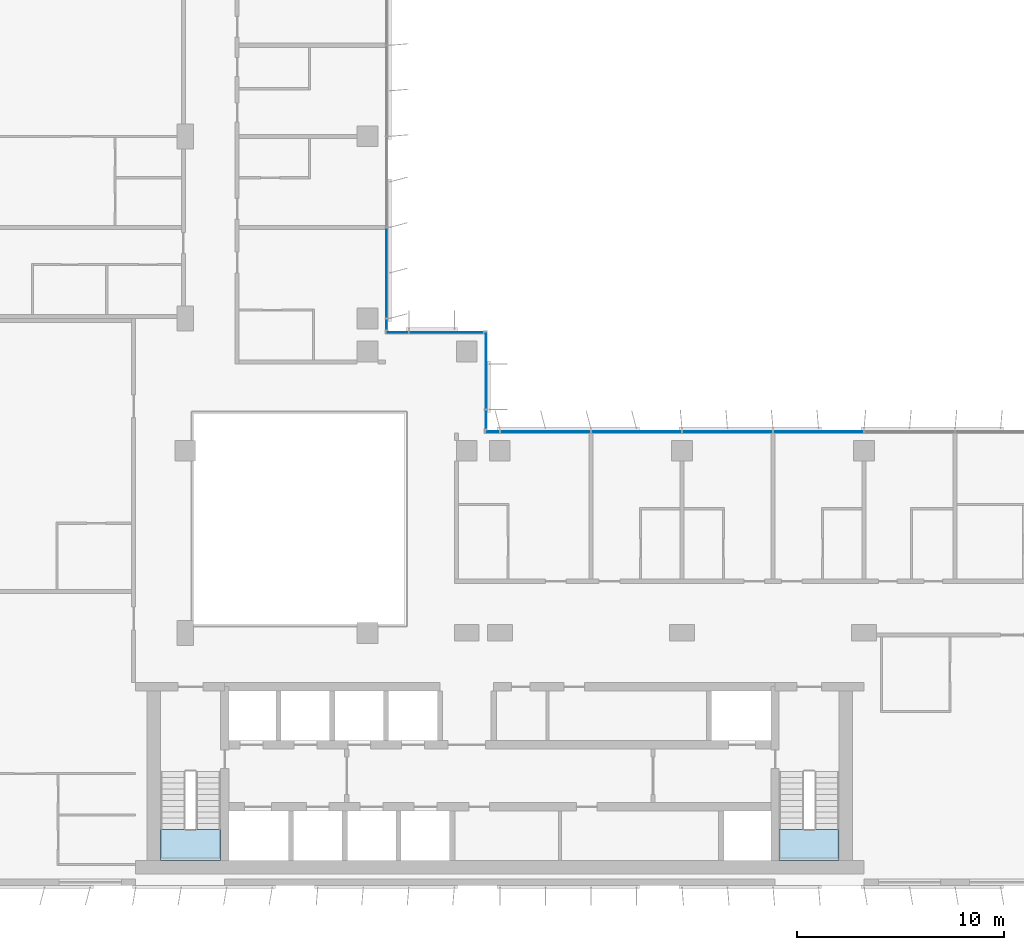
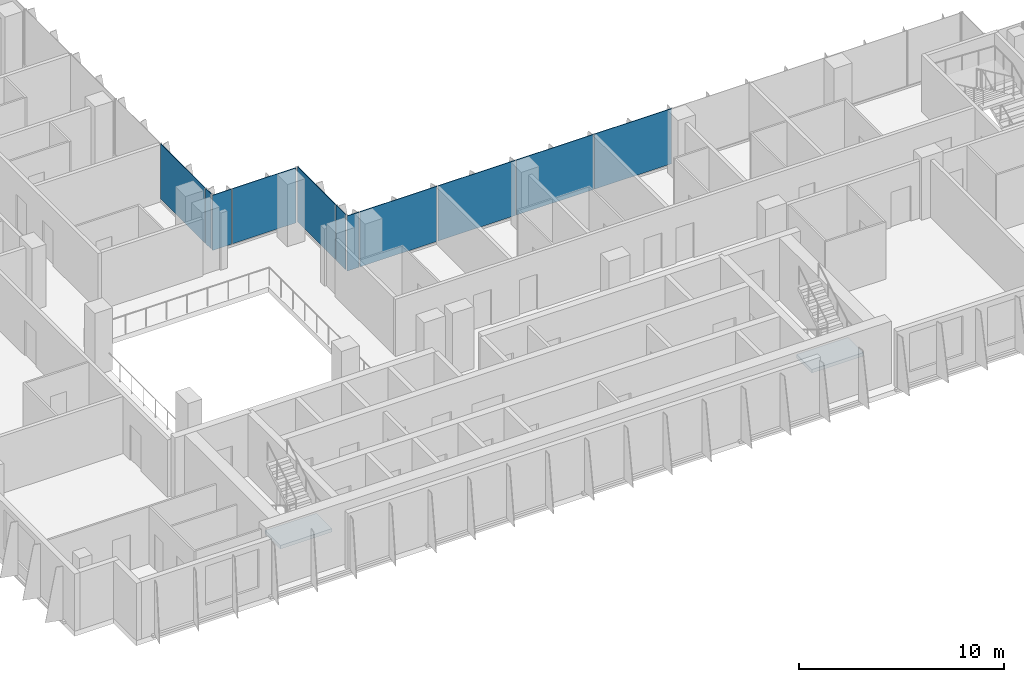
# One storey, part 10 of 21: 11 plates, 2 slabs, 6 elements without a shape of their own.
"""IFC4 building model written with IfcOpenShell, lengths in metres."""

import ifcopenshell
import ifcopenshell.guid

model = None  # the IFC model being written
_history = None  # IfcOwnerHistory: only IFC2X3 demands one
_inside = {}  # id of a spatial element -> (the spatial element, [elements in it])
_under = {}  # id of a project, library or spatial element -> (it, [spatial elements below it])
_declared = {}  # id of a project -> (the project, [libraries it declares])
_typed = {}  # id of a type object -> (the type object, [elements of that type])
_made_of = {}  # id of a material, layer set ... -> (it, [elements and type objects made of it])


def new_model(schema):
    """Start an empty IFC model of exactly this schema.

    Asked for "IFC4X3", IfcOpenShell would pick the latest addendum, in which some entities
    have other attributes; the version numbers below select the first issue.
    IFC2X3 requires an IfcOwnerHistory on every rooted entity: one is made here for all.
    """
    global model, _history
    if schema == "IFC4X3":
        model = ifcopenshell.file(schema_version=(4, 3, 0, 0))
    else:
        model = ifcopenshell.file(schema=schema)
    _inside.clear()
    _under.clear()
    _declared.clear()
    _typed.clear()
    _made_of.clear()
    _history = None
    if model.schema == "IFC2X3":
        org = make("IfcOrganization", Name="unknown")
        user = make(
            "IfcPersonAndOrganization",
            ThePerson=make("IfcPerson", FamilyName="unknown"),
            TheOrganization=org,
        )
        app = make(
            "IfcApplication",
            ApplicationDeveloper=org,
            Version="unknown",
            ApplicationFullName="unknown",
            ApplicationIdentifier="unknown",
        )
        _history = make(
            "IfcOwnerHistory",
            OwningUser=user,
            OwningApplication=app,
            ChangeAction="ADDED",
            CreationDate=0,
        )
    return model


def make(cls, **values):
    """One entity of the class cls with the attributes given. An attribute that is None is left unset."""
    return model.create_entity(
        cls, **{name: value for name, value in values.items() if value is not None}
    )


def rooted(cls, **values):
    """An entity with a GlobalId (a new one), such as an element, a storey or a relation."""
    return make(cls, GlobalId=ifcopenshell.guid.new(), OwnerHistory=_history, **values)


def si_unit(unit_type, name, prefix=None):
    """IfcSIUnit, for example si_unit("LENGTHUNIT", "METRE", prefix="MILLI")."""
    return make("IfcSIUnit", UnitType=unit_type, Prefix=prefix, Name=name)


def assignment(units):
    """IfcUnitAssignment: the units of a project."""
    return None if units is None else make("IfcUnitAssignment", Units=units)


def point(xyz):
    """IfcCartesianPoint."""
    return None if xyz is None else make("IfcCartesianPoint", Coordinates=xyz)


def direction(xyz):
    """IfcDirection."""
    return None if xyz is None else make("IfcDirection", DirectionRatios=xyz)


def frame(location, z_axis=None, x_axis=None):
    """IfcAxis2Placement3D, a coordinate frame: its origin and axes. An axis left out is left unset."""
    return make(
        "IfcAxis2Placement3D",
        Location=point(location),
        Axis=direction(z_axis),
        RefDirection=direction(x_axis),
    )


def frame_2d(location, x_axis=None):
    """IfcAxis2Placement2D, a coordinate frame in the plane: its origin and x axis."""
    return make(
        "IfcAxis2Placement2D", Location=point(location), RefDirection=direction(x_axis)
    )


def origin():
    """The frame at (0, 0, 0) with its axes left unset."""
    return frame((0.0, 0.0, 0.0))


def origin_2d():
    """The frame at (0, 0) in the plane with its x axis left unset."""
    return frame_2d((0.0, 0.0))


def place(relative_to, where):
    """IfcLocalPlacement: puts the frame where relative to a parent placement (None: the world)."""
    return make(
        "IfcLocalPlacement", PlacementRelTo=relative_to, RelativePlacement=where
    )


def context(
    kind, dimensions, precision=None, world=None, true_north=None, identifier=None
):
    """IfcGeometricRepresentationContext, for example the 3D "Model" context."""
    return make(
        "IfcGeometricRepresentationContext",
        ContextIdentifier=identifier,
        ContextType=kind,
        CoordinateSpaceDimension=dimensions,
        Precision=precision,
        WorldCoordinateSystem=world,
        TrueNorth=true_north,
    )


def subcontext(parent, identifier, kind, view, scale=None):
    """IfcGeometricRepresentationSubContext, for example "Body" below "Model"."""
    return make(
        "IfcGeometricRepresentationSubContext",
        ContextIdentifier=identifier,
        ContextType=kind,
        ParentContext=parent,
        TargetScale=scale,
        TargetView=view,
    )


def project(units=None, contexts=None):
    """IfcProject with its units and contexts."""
    return rooted(
        "IfcProject",
        Name="project",
        RepresentationContexts=contexts,
        UnitsInContext=assignment(units),
    )


def spatial(cls, under=None, at=None, **own):
    """A site, building, storey or space (cls), placed at a placement, below another one or the project."""
    s = rooted(cls, ObjectPlacement=at, **own)
    if under is not None:
        _under.setdefault(under.id(), (under, []))[1].append(s)
    return s


def polyline(points):
    """IfcPolyline through the points."""
    return make("IfcPolyline", Points=[point(p) for p in points])


def profile(cls, at=None, kind="AREA", **sizes):
    """A parametric profile (cls). Its sizes go by their IFC names, for example OverallWidth=200.0."""
    return make(cls, ProfileType=kind, Position=at, **sizes)


def rectangle(**sizes):
    """IfcRectangleProfileDef."""
    return profile("IfcRectangleProfileDef", **sizes)


def outline(outer, holes=None, kind="AREA"):
    """IfcArbitraryClosedProfileDef: a profile drawn as a closed curve; with holes, ...WithVoids."""
    if holes is None:
        return make("IfcArbitraryClosedProfileDef", ProfileType=kind, OuterCurve=outer)
    return make(
        "IfcArbitraryProfileDefWithVoids",
        ProfileType=kind,
        OuterCurve=outer,
        InnerCurves=holes,
    )


def extrude(swept, where, along, depth):
    """IfcExtrudedAreaSolid: the profile swept, set in the frame where, extruded along a direction by depth."""
    return make(
        "IfcExtrudedAreaSolid",
        SweptArea=swept,
        Position=where,
        ExtrudedDirection=direction(along),
        Depth=depth,
    )


def shape(context_of_items, identifier, shape_type, items):
    """IfcShapeRepresentation: the items that make up one representation, for example the "Body"."""
    return make(
        "IfcShapeRepresentation",
        ContextOfItems=context_of_items,
        RepresentationIdentifier=identifier,
        RepresentationType=shape_type,
        Items=items,
    )


def source(mapping_origin, context_of_items, identifier, shape_type, items):
    """IfcRepresentationMap: a shape defined once, which mapped items show again and again."""
    return make(
        "IfcRepresentationMap",
        MappingOrigin=mapping_origin,
        MappedRepresentation=shape(context_of_items, identifier, shape_type, items),
    )


def transform(
    local_origin,
    x_axis=None,
    y_axis=None,
    z_axis=None,
    scale=None,
    scale2=None,
    scale3=None,
    uniform=True,
):
    """IfcCartesianTransformationOperator3D, or its non-uniform kind. x_axis, y_axis, z_axis: its Axis1, 2, 3."""
    if uniform:
        return make(
            "IfcCartesianTransformationOperator3D",
            Axis1=direction(x_axis),
            Axis2=direction(y_axis),
            LocalOrigin=point(local_origin),
            Scale=scale,
            Axis3=direction(z_axis),
        )
    return make(
        "IfcCartesianTransformationOperator3DnonUniform",
        Axis1=direction(x_axis),
        Axis2=direction(y_axis),
        LocalOrigin=point(local_origin),
        Scale=scale,
        Axis3=direction(z_axis),
        Scale2=scale2,
        Scale3=scale3,
    )


def mapped(mapping_source, mapping_target):
    """IfcMappedItem: shows the shape of a source again, moved by a transform."""
    return make(
        "IfcMappedItem", MappingSource=mapping_source, MappingTarget=mapping_target
    )


def material(Name=None, Category=None):
    """IfcMaterial."""
    return make("IfcMaterial", Name=Name, Category=Category)


def layer(
    of_material, thickness, ventilated=None, Name=None, Category=None, Priority=None
):
    """IfcMaterialLayer: one layer of a wall or slab, of a material (None: an air gap)."""
    return make(
        "IfcMaterialLayer",
        Material=of_material,
        LayerThickness=thickness,
        IsVentilated=ventilated,
        Name=Name,
        Category=Category,
        Priority=Priority,
    )


def layer_set(layers, Name=None):
    """IfcMaterialLayerSet."""
    return make("IfcMaterialLayerSet", MaterialLayers=layers, LayerSetName=Name)


def made_of(thing, what):
    """Note that an element or type object is made of a material, layer set ...; save() writes the relation."""
    if what is not None:
        _made_of.setdefault(what.id(), (what, []))[1].append(thing)
    return thing


def type_object(cls, material=None, **own):
    """A type object (cls), such as IfcWallType, which elements share."""
    return made_of(rooted(cls, **own), material)


def element(
    cls,
    number,
    at=None,
    inside=None,
    cuts=None,
    type_object=None,
    material=None,
    context=None,
    identifier="Body",
    shape_type=None,
    held_by="IfcProductDefinitionShape",
    body=None,
    shapes=None,
    **own,
):
    """One element of the class cls, such as IfcWall. Its Tag is "e" and its number.

    at: its placement. inside: the storey or other place that contains it. cuts: it is an
    opening in that element (IfcRelVoidsElement). A single representation is given by context,
    identifier, shape_type and body (its items); several are given by shapes. held_by: the class
    of the entity that holds the representations. save() writes the other relations.
    """
    e = rooted(cls, Tag="e%d" % number, ObjectPlacement=at, **own)
    if body is not None:
        shapes = [shape(context, identifier, shape_type, body)]
    if shapes is not None:
        e.Representation = make(held_by, Representations=shapes)
    if inside is not None:
        _inside.setdefault(inside.id(), (inside, []))[1].append(e)
    if cuts is not None:
        rooted(
            "IfcRelVoidsElement", RelatingBuildingElement=cuts, RelatedOpeningElement=e
        )
    if type_object is not None:
        _typed.setdefault(type_object.id(), (type_object, []))[1].append(e)
    return made_of(e, material)


def aggregate(whole, parts):
    """IfcRelAggregates: a whole, such as a stair, and the parts it consists of."""
    return rooted("IfcRelAggregates", RelatingObject=whole, RelatedObjects=parts)


def save(model, path):
    """Write the relations noted so far, then the file.

    IfcRelAggregates (storeys below a building ...), IfcRelContainedInSpatialStructure (elements
    in a storey), IfcRelDefinesByType, IfcRelAssociatesMaterial and IfcRelDeclares: one each for
    every whole, place, type object, material and project.
    """
    for whole, parts in _under.values():
        aggregate(whole, parts)
    for where, things in _inside.values():
        rooted(
            "IfcRelContainedInSpatialStructure",
            RelatedElements=things,
            RelatingStructure=where,
        )
    for kind, things in _typed.values():
        rooted("IfcRelDefinesByType", RelatedObjects=things, RelatingType=kind)
    for what, things in _made_of.values():
        rooted("IfcRelAssociatesMaterial", RelatedObjects=things, RelatingMaterial=what)
    for by, libraries in _declared.values():
        rooted("IfcRelDeclares", RelatingContext=by, RelatedDefinitions=libraries)
    model.write(path)


model = new_model("IFC4")

# Units and contexts
model_context = context("Model", 3, precision=1e-05, world=origin(), true_north=direction((0.0, 1.0)))
body_context = subcontext(model_context, "Body", "Model", "MODEL_VIEW")
ifc_project = project(units=[si_unit("LENGTHUNIT", "METRE"), si_unit("AREAUNIT", "SQUARE_METRE"), si_unit("VOLUMEUNIT", "CUBIC_METRE"), si_unit("PLANEANGLEUNIT", "RADIAN"), si_unit("MASSUNIT", "GRAM", prefix="KILO")], contexts=[model_context])

# Site, building, storey
site_placement = place(None, origin())
site = spatial("IfcSite", under=ifc_project, at=site_placement, CompositionType="ELEMENT")
building_placement = place(site_placement, origin())
building = spatial("IfcBuilding", under=site, at=building_placement, Name="Kemantara Hotel Tower", CompositionType="ELEMENT")
storey_placement = place(building_placement, frame((0.0, 0.0, 167.89990234375)))
storey = spatial("IfcBuildingStorey", under=building, at=storey_placement, Name="L41", CompositionType="ELEMENT", Elevation=167.89990234375)

# Stair, slab
ifc_material_1 = material(Name="Concrete fc 40 MPa", Category="concrete")
stair_type = type_object("IfcStairType", Name="Stair 1200 wide 22 risers of 168 x 280 mm", PredefinedType="HALF_TURN_STAIR", material=ifc_material_1)
stair_1_placement = place(storey_placement, origin())
stair_1 = element("IfcStair", 1, at=stair_1_placement, inside=storey, type_object=stair_type, Name="L41 Exit stair ST1", PredefinedType="HALF_TURN_STAIR")
ifc_layer_1 = layer(ifc_material_1, 0.199951171875)
ifc_layer_set_1 = layer_set([ifc_layer_1], Name="Concrete fc 40 MPa")
slab_type = type_object("IfcSlabType", Name="Stair landing 200 mm", PredefinedType="LANDING", material=ifc_layer_set_1)
slab_1_placement = place(storey_placement, frame((0.0, 0.0, 1.650146484375)))
slab_1 = element("IfcSlab", 2, at=slab_1_placement, type_object=slab_type, Name="ST1 landing 1", PredefinedType="LANDING", context=body_context, shape_type="SweptSolid", body=[
    extrude(outline(polyline([(11.0, 2.699951171875), (11.0, 1.199951171875), (13.89990234375, 1.199951171875), (13.89990234375, 2.699951171875), (11.0, 2.699951171875)])), origin(), (0.0, 0.0, 1.0), 0.199951171875),
])
aggregate(stair_1, [slab_1])

stair_2_placement = place(storey_placement, origin())
stair_2 = element("IfcStair", 3, at=stair_2_placement, inside=storey, type_object=stair_type, Name="L41 Exit stair ST2", PredefinedType="HALF_TURN_STAIR")
slab_2_placement = place(storey_placement, frame((0.0, 0.0, 1.650146484375)))
slab_2 = element("IfcSlab", 4, at=slab_2_placement, type_object=slab_type, Name="ST2 landing 1", PredefinedType="LANDING", context=body_context, shape_type="SweptSolid", body=[
    extrude(outline(polyline([(40.89990234375, 2.699951171875), (40.89990234375, 1.199951171875), (43.800048828125, 1.199951171875), (43.800048828125, 2.699951171875), (40.89990234375, 2.699951171875)])), origin(), (0.0, 0.0, 1.0), 0.199951171875),
])
aggregate(stair_2, [slab_2])

# Curtain wall, plates
ifc_material_2 = material(Name="Low-E tinted double insulated glass 36 mm", Category="glass")
curtain_wall_type = type_object("IfcCurtainWallType", Name="TOWER CURTAIN WALL, FRONT FACES", PredefinedType="USERDEFINED", material=ifc_material_2)
curtain_wall_1_placement = place(storey_placement, origin())
curtain_wall_1 = element("IfcCurtainWall", 5, at=curtain_wall_1_placement, inside=storey, type_object=curtain_wall_type, Name="CW4 L41 T3-R14-1", ObjectType="TOWER CURTAIN WALL, FRONT FACES", PredefinedType="USERDEFINED")
ifc_layer_2 = layer(ifc_material_2, 0.035888671875)
ifc_layer_set_2 = layer_set([ifc_layer_2], Name="Low-E tinted double insulated glass 36 mm")
plate_type = type_object("IfcPlateType", Name="TOWER CURTAIN WALL, FRONT FACES PANEL", PredefinedType="CURTAIN_PANEL", material=ifc_layer_set_2)
shared_shape_1 = source(origin(), body_context, "Body", "SweptSolid", [
    extrude(rectangle(XDim=4.340087890625, YDim=0.035888671875, at=origin_2d()), origin(), (0.0, 0.0, 1.0), 3.280029296875),
])
plate_1_placement = place(storey_placement, frame((42.800048828125, 21.925048828125, 0.1201171875), z_axis=(0.0, 0.0, 1.0), x_axis=(-1.0, 0.0, 0.0)))
plate_1 = element("IfcPlate", 6, at=plate_1_placement, type_object=plate_type, Name="CW4 glass panel T3-R14-1.5", PredefinedType="CURTAIN_PANEL", context=body_context, shape_type="MappedRepresentation", body=[
    mapped(shared_shape_1, transform((0.0, 0.0, 0.0))),
])
plate_2_placement = place(storey_placement, frame((38.39990234375, 21.925048828125, 0.1201171875), z_axis=(0.0, 0.0, 1.0), x_axis=(-1.0, 0.0, 0.0)))
plate_2 = element("IfcPlate", 7, at=plate_2_placement, type_object=plate_type, Name="CW4 glass panel T3-R14-1.6", PredefinedType="CURTAIN_PANEL", context=body_context, shape_type="MappedRepresentation", body=[
    mapped(shared_shape_1, transform((0.0, 0.0, 0.0))),
])
plate_3_placement = place(storey_placement, frame((34.0, 21.925048828125, 0.1201171875), z_axis=(0.0, 0.0, 1.0), x_axis=(-1.0, 0.0, 0.0)))
plate_3 = element("IfcPlate", 8, at=plate_3_placement, type_object=plate_type, Name="CW4 glass panel T3-R14-1.7", PredefinedType="CURTAIN_PANEL", context=body_context, shape_type="MappedRepresentation", body=[
    mapped(shared_shape_1, transform((0.0, 0.0, 0.0))),
])
plate_4_placement = place(storey_placement, frame((29.60009765625, 21.925048828125, 0.1201171875), z_axis=(0.0, 0.0, 1.0), x_axis=(-1.0, 0.0, 0.0)))
plate_4 = element("IfcPlate", 9, at=plate_4_placement, type_object=plate_type, Name="CW4 glass panel T3-R14-1.8", PredefinedType="CURTAIN_PANEL", context=body_context, shape_type="MappedRepresentation", body=[
    mapped(shared_shape_1, transform((0.0, 0.0, 0.0))),
])

# Curtain wall, plate
curtain_wall_2_placement = place(storey_placement, origin())
curtain_wall_2 = element("IfcCurtainWall", 10, at=curtain_wall_2_placement, inside=storey, type_object=curtain_wall_type, Name="CW4 L41 T3-R17-1", ObjectType="TOWER CURTAIN WALL, FRONT FACES", PredefinedType="USERDEFINED")
plate_5_placement = place(storey_placement, frame((21.925048828125, 29.60009765625, 0.1201171875), z_axis=(0.0, 0.0, 1.0), x_axis=(0.0, 1.0, 0.0)))
plate_5 = element("IfcPlate", 11, at=plate_5_placement, type_object=plate_type, Name="CW4 glass panel T3-R17-1.2", PredefinedType="CURTAIN_PANEL", context=body_context, shape_type="MappedRepresentation", body=[
    mapped(shared_shape_1, transform((0.0, 0.0, 0.0))),
])

# Plate
shared_shape_2 = source(origin(), body_context, "Body", "SweptSolid", [
    extrude(rectangle(XDim=0.659912109375, YDim=0.035888671875, at=origin_2d()), origin(), (0.0, 0.0, 1.0), 3.280029296875),
])
plate_6_placement = place(storey_placement, frame((27.0400390625, 21.925048828125, 0.1201171875), z_axis=(0.0, 0.0, 1.0), x_axis=(-1.0, 0.0, 0.0)))
plate_6 = element("IfcPlate", 12, at=plate_6_placement, type_object=plate_type, Name="CW4 glass panel T3-R14-1.9", PredefinedType="CURTAIN_PANEL", context=body_context, shape_type="MappedRepresentation", body=[
    mapped(shared_shape_2, transform((0.0, 0.0, 0.0))),
])

aggregate(curtain_wall_1, [plate_1, plate_2, plate_3, plate_4, plate_6])

shared_shape_3 = source(origin(), body_context, "Body", "SweptSolid", [
    extrude(rectangle(XDim=0.510009765625, YDim=0.035888671875, at=origin_2d()), origin(), (0.0, 0.0, 1.0), 3.280029296875),
])
plate_7_placement = place(storey_placement, frame((21.925048828125, 27.114990234375, 0.1201171875), z_axis=(0.0, 0.0, 1.0), x_axis=(0.0, 1.0, 0.0)))
plate_7 = element("IfcPlate", 13, at=plate_7_placement, type_object=plate_type, Name="CW4 glass panel T3-R17-1.1", PredefinedType="CURTAIN_PANEL", context=body_context, shape_type="MappedRepresentation", body=[
    mapped(shared_shape_3, transform((0.0, 0.0, 0.0))),
])

aggregate(curtain_wall_2, [plate_7, plate_5])

# Curtain wall, plates
curtain_wall_3_placement = place(storey_placement, origin())
curtain_wall_3 = element("IfcCurtainWall", 14, at=curtain_wall_3_placement, inside=storey, type_object=curtain_wall_type, Name="CW4 L41 T3-R15-1", ObjectType="TOWER CURTAIN WALL, FRONT FACES", PredefinedType="USERDEFINED")
shared_shape_4 = source(origin(), body_context, "Body", "SweptSolid", [
    extrude(rectangle(XDim=0.909912109375, YDim=0.035888671875, at=origin_2d()), origin(), (0.0, 0.0, 1.0), 3.280029296875),
])
plate_8_placement = place(storey_placement, frame((26.72509765625, 22.514892578125, 0.1201171875), z_axis=(0.0, 0.0, 1.0), x_axis=(0.0, 1.0, 0.0)))
plate_8 = element("IfcPlate", 15, at=plate_8_placement, type_object=plate_type, Name="CW4 glass panel T3-R15-1.1", PredefinedType="CURTAIN_PANEL", context=body_context, shape_type="MappedRepresentation", body=[
    mapped(shared_shape_4, transform((0.0, 0.0, 0.0))),
])
shared_shape_5 = source(origin(), body_context, "Body", "SweptSolid", [
    extrude(rectangle(XDim=3.7099609375, YDim=0.035888671875, at=origin_2d()), origin(), (0.0, 0.0, 1.0), 3.280029296875),
])
plate_9_placement = place(storey_placement, frame((26.72509765625, 24.885009765625, 0.1201171875), z_axis=(0.0, 0.0, 1.0), x_axis=(0.0, 1.0, 0.0)))
plate_9 = element("IfcPlate", 16, at=plate_9_placement, type_object=plate_type, Name="CW4 glass panel T3-R15-1.2", PredefinedType="CURTAIN_PANEL", context=body_context, shape_type="MappedRepresentation", body=[
    mapped(shared_shape_5, transform((0.0, 0.0, 0.0))),
])
aggregate(curtain_wall_3, [plate_8, plate_9])

curtain_wall_4_placement = place(storey_placement, origin())
curtain_wall_4 = element("IfcCurtainWall", 17, at=curtain_wall_4_placement, inside=storey, type_object=curtain_wall_type, Name="CW4 L41 T3-R16-1", ObjectType="TOWER CURTAIN WALL, FRONT FACES", PredefinedType="USERDEFINED")
shared_shape_6 = source(origin(), body_context, "Body", "SweptSolid", [
    extrude(rectangle(XDim=3.56005859375, YDim=0.035888671875, at=origin_2d()), origin(), (0.0, 0.0, 1.0), 3.280029296875),
])
plate_10_placement = place(storey_placement, frame((24.81005859375, 26.72509765625, 0.1201171875), z_axis=(0.0, 0.0, 1.0), x_axis=(-1.0, 0.0, 0.0)))
plate_10 = element("IfcPlate", 18, at=plate_10_placement, type_object=plate_type, Name="CW4 glass panel T3-R16-1.1", PredefinedType="CURTAIN_PANEL", context=body_context, shape_type="MappedRepresentation", body=[
    mapped(shared_shape_6, transform((0.0, 0.0, 0.0))),
])
shared_shape_7 = source(origin(), body_context, "Body", "SweptSolid", [
    extrude(rectangle(XDim=1.06005859375, YDim=0.035888671875, at=origin_2d()), origin(), (0.0, 0.0, 1.0), 3.280029296875),
])
plate_11_placement = place(storey_placement, frame((22.43994140625, 26.72509765625, 0.1201171875), z_axis=(0.0, 0.0, 1.0), x_axis=(-1.0, 0.0, 0.0)))
plate_11 = element("IfcPlate", 19, at=plate_11_placement, type_object=plate_type, Name="CW4 glass panel T3-R16-1.2", PredefinedType="CURTAIN_PANEL", context=body_context, shape_type="MappedRepresentation", body=[
    mapped(shared_shape_7, transform((0.0, 0.0, 0.0))),
])
aggregate(curtain_wall_4, [plate_10, plate_11])

save(model, "model.ifc")
